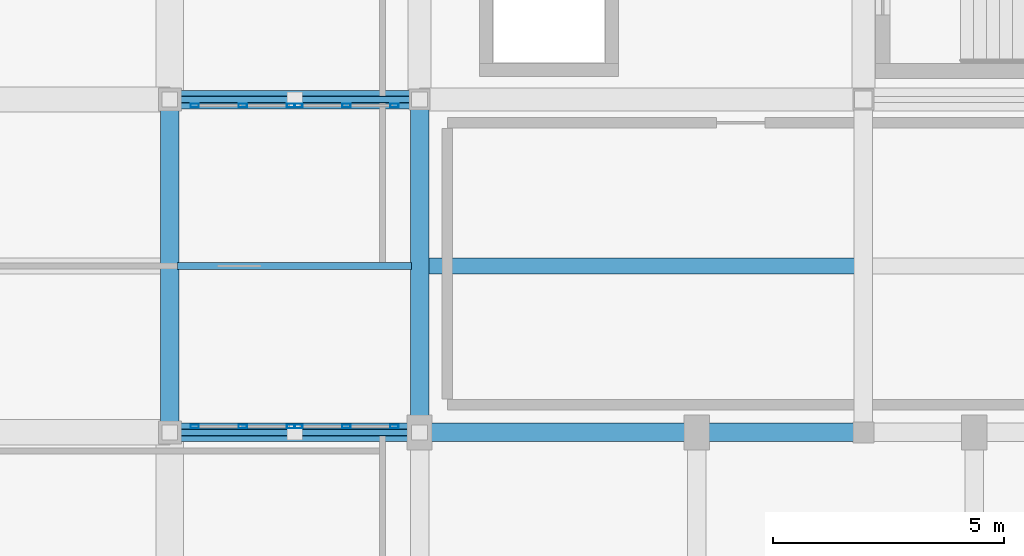
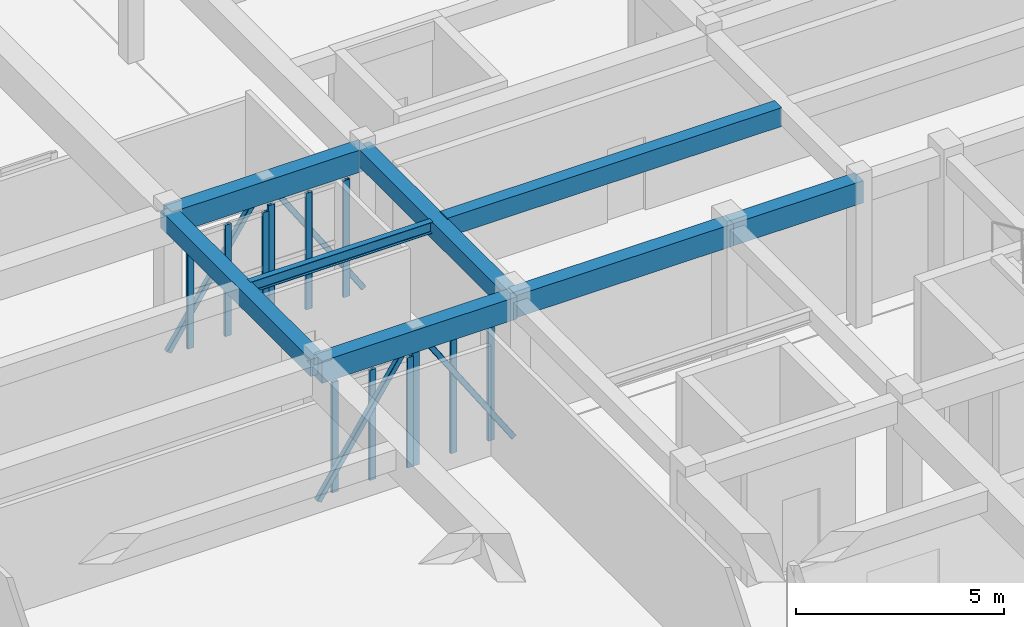
# One storey, part 36 of 92: 16 members, 8 beams, 4 elements without a shape of their own.
"""IFC4 building model written with IfcOpenShell, lengths in metres."""

from ifc_helpers import new_model, si_unit, direction, frame, origin, origin_2d, place, context, subcontext, project, spatial, rectangle, hollow_rectangle, i_section, extrude, material, layer, layer_set, material_profile, profile_set, type_object, element, aggregate, save


model = new_model("IFC4")

# Units and contexts
model_context = context("Model", 3, precision=1e-05, world=origin(), true_north=direction((0.0, 1.0)))
body_context = subcontext(model_context, "Body", "Model", "MODEL_VIEW")
ifc_project = project(units=[si_unit("LENGTHUNIT", "METRE"), si_unit("AREAUNIT", "SQUARE_METRE"), si_unit("VOLUMEUNIT", "CUBIC_METRE"), si_unit("PLANEANGLEUNIT", "RADIAN"), si_unit("MASSUNIT", "GRAM", prefix="KILO")], contexts=[model_context])

# Site, building, storey
site_placement = place(None, origin())
site = spatial("IfcSite", under=ifc_project, at=site_placement, CompositionType="ELEMENT")
building_placement = place(site_placement, origin())
building = spatial("IfcBuilding", under=site, at=building_placement, Name="Tarnavel Promenade Courthouse", CompositionType="ELEMENT")
storey_placement = place(building_placement, frame((0.0, 0.0, 5.39990234375)))
storey = spatial("IfcBuildingStorey", under=building, at=storey_placement, Name="L02", CompositionType="ELEMENT", Elevation=5.39990234375)

# Beams
ifc_material_1 = material(Name="Concrete C40/50", Category="concrete")
ifc_material_profile_1 = material_profile(ifc_material_1, rectangle(XDim=0.35009765625, YDim=0.550048828125, at=origin_2d()), Name="PT 350x550")
ifc_profile_set_1 = profile_set([ifc_material_profile_1], Name="Concrete C40/50")
beam_type_1 = type_object("IfcBeamType", Name="Concrete C40/50 BM-PT-350x550 (PT 350x550)", PredefinedType="JOIST", material=ifc_profile_set_1)
beam_1_placement = place(storey_placement, frame((120.169921875, 70.800048828125, 3.960205078125), z_axis=(1.0, 0.0, 0.0), x_axis=(0.0, 1.0, 0.0)))
element("IfcBeam", 1, at=beam_1_placement, inside=storey, type_object=beam_type_1, Name="L02 Secondary Floor Rib 1403", PredefinedType="JOIST", context=body_context, shape_type="SweptSolid", body=[
    extrude(rectangle(XDim=0.35009765625, YDim=0.550048828125, at=origin_2d()), origin(), (0.0, 0.0, 1.0), 9.260009765625),
])
ifc_material_profile_2 = material_profile(ifc_material_1, rectangle(XDim=0.39990234375, YDim=0.5, at=origin_2d()), Name="RC 400x500")
ifc_profile_set_2 = profile_set([ifc_material_profile_2], Name="Concrete C40/50")
beam_type_2 = type_object("IfcBeamType", Name="Concrete C40/50 BM-RC-400x500 (RC 400x500)", PredefinedType="BEAM", material=ifc_profile_set_2)
for number, where, z_axis, x_axis, name in (
    (2, (114.60009765625, 67.199951171875, 3.945068359375), (0.0, 1.0, 0.0), (-1.0, 0.0, 0.0), "L02 Transverse Girder 1313"),
    (3, (120.0, 67.199951171875, 3.945068359375), (0.0, 1.0, 0.0), (-1.0, 0.0, 0.0), "L02 Transverse Girder 1318"),
):
    element("IfcBeam", number, at=place(storey_placement, frame(where, z_axis=z_axis, x_axis=x_axis)), inside=storey, type_object=beam_type_2, Name=name, PredefinedType="BEAM", context=body_context, shape_type="SweptSolid", body=[
        extrude(rectangle(XDim=0.39990234375, YDim=0.5, at=origin_2d()), origin(), (0.0, 0.0, 1.0), 7.199951171875),
    ])
ifc_material_profile_3 = material_profile(ifc_material_1, rectangle(XDim=0.39990234375, YDim=0.64990234375, at=origin_2d()), Name="RC 400x650")
ifc_profile_set_3 = profile_set([ifc_material_profile_3], Name="Concrete C40/50")
beam_type_3 = type_object("IfcBeamType", Name="Concrete C40/50 BM-RC-400x650 (RC 400x650)", PredefinedType="BEAM", material=ifc_profile_set_3)
beam_2_placement = place(storey_placement, frame((114.60009765625, 67.199951171875, 3.8701171875), z_axis=(1.0, 0.0, 0.0), x_axis=(0.0, 1.0, 0.0)))
element("IfcBeam", 4, at=beam_2_placement, inside=storey, type_object=beam_type_3, Name="L02 Primary Longitudinal Beam 1139", PredefinedType="BEAM", context=body_context, shape_type="SweptSolid", body=[
    extrude(rectangle(XDim=0.39990234375, YDim=0.64990234375, at=origin_2d()), origin(), (0.0, 0.0, 1.0), 5.39990234375),
])
beam_3_placement = place(storey_placement, frame((120.0, 67.199951171875, 3.91015625), z_axis=(1.0, 0.0, 0.0), x_axis=(0.0, 1.0, 0.0)))
element("IfcBeam", 5, at=beam_3_placement, inside=storey, type_object=beam_type_3, Name="L02 Primary Longitudinal Beam 1140", PredefinedType="BEAM", context=body_context, shape_type="SweptSolid", body=[
    extrude(rectangle(XDim=0.39990234375, YDim=0.64990234375, at=origin_2d()), origin(), (0.0, 0.0, 1.0), 6.0),
])
beam_4_placement = place(storey_placement, frame((126.0, 67.199951171875, 3.91015625), z_axis=(1.0, 0.0, 0.0), x_axis=(0.0, 1.0, 0.0)))
element("IfcBeam", 6, at=beam_4_placement, inside=storey, type_object=beam_type_3, Name="L02 Primary Longitudinal Beam 1141", PredefinedType="BEAM", context=body_context, shape_type="SweptSolid", body=[
    extrude(rectangle(XDim=0.39990234375, YDim=0.64990234375, at=origin_2d()), origin(), (0.0, 0.0, 1.0), 3.60009765625),
])
beam_5_placement = place(storey_placement, frame((114.60009765625, 74.39990234375, 3.8701171875), z_axis=(1.0, 0.0, 0.0), x_axis=(0.0, 1.0, 0.0)))
element("IfcBeam", 7, at=beam_5_placement, inside=storey, type_object=beam_type_3, Name="L02 Primary Longitudinal Beam 1162", PredefinedType="BEAM", context=body_context, shape_type="SweptSolid", body=[
    extrude(rectangle(XDim=0.39990234375, YDim=0.64990234375, at=origin_2d()), origin(), (0.0, 0.0, 1.0), 5.39990234375),
])
ifc_material_2 = material(Name="Steel S355J2", Category="steel")
ifc_material_profile_4 = material_profile(ifc_material_2, i_section(OverallWidth=0.159912109375, OverallDepth=0.330078125, WebThickness=0.007568359375, FlangeThickness=0.011474609375, FilletRadius=0.01806640625, at=origin_2d()), Name="IPE 330")
ifc_profile_set_4 = profile_set([ifc_material_profile_4], Name="Steel S355J2")
beam_type_4 = type_object("IfcBeamType", Name="Steel S355J2 BM-ST-IPE330 (IPE 330)", PredefinedType="JOIST", material=ifc_profile_set_4)
beam_6_placement = place(storey_placement, frame((114.77001953125, 70.800048828125, 4.030029296875), z_axis=(1.0, 0.0, 0.0), x_axis=(0.0, 1.0, 0.0)))
element("IfcBeam", 8, at=beam_6_placement, inside=storey, type_object=beam_type_4, Name="L02 Secondary Floor Rib 1402", PredefinedType="JOIST", context=body_context, shape_type="SweptSolid", body=[
    extrude(i_section(OverallWidth=0.159912109375, OverallDepth=0.330078125, WebThickness=0.007568359375, FlangeThickness=0.011474609375, FilletRadius=0.01806640625, at=origin_2d()), origin(), (0.0, 0.0, 1.0), 5.06005859375),
])

# Members
ifc_material_profile_5 = material_profile(ifc_material_2, hollow_rectangle(XDim=0.14990234375, YDim=0.14990234375, WallThickness=0.010009765625, InnerFilletRadius=0.010009765625, OuterFilletRadius=0.02001953125, at=origin_2d()), Name="SHS 150x150x10")
ifc_profile_set_5 = profile_set([ifc_material_profile_5], Name="Steel S355J2")
member_type_1 = type_object("IfcMemberType", Name="Steel S355J2 MEM-BR-SHS150 (SHS 150x150x10)", PredefinedType="BRACE", material=ifc_profile_set_5)
for number, where, z_axis, x_axis, name in (
    (9, (114.60009765625, 67.199951171875, 0.0), (0.553740765848, 0.0, 0.8326891162), (0.0, 1.0, 0.0), "L02 Link Bridge BRE Truss Diagonal 1"),
    (10, (117.300048828125, 67.199951171875, 4.06005859375), (0.553740765848, 0.0, -0.8326891162), (0.0, 1.0, 0.0), "L02 Link Bridge BRE Truss Diagonal 2"),
    (11, (114.60009765625, 74.39990234375, 0.0), (0.553740765848, 0.0, 0.8326891162), (0.0, 1.0, 0.0), "L02 Link Bridge BRE Truss Diagonal 1"),
    (12, (117.300048828125, 74.39990234375, 4.06005859375), (0.553740765848, 0.0, -0.8326891162), (0.0, 1.0, 0.0), "L02 Link Bridge BRE Truss Diagonal 2"),
):
    element("IfcMember", number, at=place(storey_placement, frame(where, z_axis=z_axis, x_axis=x_axis)), inside=storey, type_object=member_type_1, Name=name, PredefinedType="BRACE", context=body_context, shape_type="SweptSolid", body=[
        extrude(hollow_rectangle(XDim=0.14990234375, YDim=0.14990234375, WallThickness=0.010009765625, InnerFilletRadius=0.010009765625, OuterFilletRadius=0.02001953125, at=origin_2d()), origin(), (0.0, 0.0, 1.0), 4.875732421875),
    ])

# Curtain wall, members
ifc_material_3 = material(Name="Thermally Broken Anodised Aluminium Curtain Wall System", Category="aluminium")
ifc_layer = layer(ifc_material_3, 0.18505859375)
ifc_layer_set = layer_set([ifc_layer], Name="Thermally Broken Anodised Aluminium Curtain Wall System")
curtain_wall_type = type_object("IfcCurtainWallType", Name="Thermally Broken Aluminium Triple-Glazed Curtain Wall CW-BRG", PredefinedType="NOTDEFINED", material=ifc_layer_set)
curtain_wall_1_placement = place(storey_placement, origin())
curtain_wall_1 = element("IfcCurtainWall", 13, at=curtain_wall_1_placement, inside=storey, type_object=curtain_wall_type, Name="L02 East Bridge Curtain Wall A 154", PredefinedType="NOTDEFINED")
ifc_material_4 = material(Name="Thermally Broken Anodised Aluminium Frame", Category="aluminium")
ifc_material_profile_6 = material_profile(ifc_material_4, hollow_rectangle(XDim=0.080078125, YDim=0.179931640625, WallThickness=0.0048828125, InnerFilletRadius=0.0048828125, OuterFilletRadius=0.010009765625, at=origin_2d()), Name="CWM 180x80x5")
ifc_profile_set_6 = profile_set([ifc_material_profile_6], Name="Thermally Broken Anodised Aluminium Frame")
member_type_2 = type_object("IfcMemberType", Name="Thermally Broken Anodised Aluminium CWM-155 (CWM 180x80x5)", PredefinedType="MULLION", material=ifc_profile_set_6)
member_1_placement = place(storey_placement, frame((115.139892578125, 67.330078125, 0.0), z_axis=(0.0, 0.0, 1.0), x_axis=(0.0, 1.0, 0.0)))
member_1 = element("IfcMember", 14, at=member_1_placement, type_object=member_type_2, Name="CW-05 mullion 1", PredefinedType="MULLION", context=body_context, shape_type="SweptSolid", body=[
    extrude(hollow_rectangle(XDim=0.080078125, YDim=0.179931640625, WallThickness=0.0048828125, InnerFilletRadius=0.0048828125, OuterFilletRadius=0.010009765625, at=origin_2d()), origin(), (0.0, 0.0, 1.0), 3.22998046875),
])
member_2_placement = place(storey_placement, frame((116.179931640625, 67.330078125, 0.0), z_axis=(0.0, 0.0, 1.0), x_axis=(0.0, 1.0, 0.0)))
member_2 = element("IfcMember", 15, at=member_2_placement, type_object=member_type_2, Name="CW-05 mullion 2", PredefinedType="MULLION", context=body_context, shape_type="SweptSolid", body=[
    extrude(hollow_rectangle(XDim=0.080078125, YDim=0.179931640625, WallThickness=0.0048828125, InnerFilletRadius=0.0048828125, OuterFilletRadius=0.010009765625, at=origin_2d()), origin(), (0.0, 0.0, 1.0), 3.22998046875),
])
member_3_placement = place(storey_placement, frame((117.219970703125, 67.330078125, 0.0), z_axis=(0.0, 0.0, 1.0), x_axis=(0.0, 1.0, 0.0)))
member_3 = element("IfcMember", 16, at=member_3_placement, type_object=member_type_2, Name="CW-05 mullion 3", PredefinedType="MULLION", context=body_context, shape_type="SweptSolid", body=[
    extrude(hollow_rectangle(XDim=0.080078125, YDim=0.179931640625, WallThickness=0.0048828125, InnerFilletRadius=0.0048828125, OuterFilletRadius=0.010009765625, at=origin_2d()), origin(), (0.0, 0.0, 1.0), 3.22998046875),
])
aggregate(curtain_wall_1, [member_1, member_2, member_3])

curtain_wall_2_placement = place(storey_placement, origin())
curtain_wall_2 = element("IfcCurtainWall", 17, at=curtain_wall_2_placement, inside=storey, type_object=curtain_wall_type, Name="L02 East Bridge Curtain Wall B 155", PredefinedType="NOTDEFINED")
member_4_placement = place(storey_placement, frame((117.3798828125, 67.330078125, 0.0), z_axis=(0.0, 0.0, 1.0), x_axis=(0.0, 1.0, 0.0)))
member_4 = element("IfcMember", 18, at=member_4_placement, type_object=member_type_2, Name="CW-05 mullion 1", PredefinedType="MULLION", context=body_context, shape_type="SweptSolid", body=[
    extrude(hollow_rectangle(XDim=0.080078125, YDim=0.179931640625, WallThickness=0.0048828125, InnerFilletRadius=0.0048828125, OuterFilletRadius=0.010009765625, at=origin_2d()), origin(), (0.0, 0.0, 1.0), 3.530029296875),
])
member_5_placement = place(storey_placement, frame((118.419921875, 67.330078125, 0.0), z_axis=(0.0, 0.0, 1.0), x_axis=(0.0, 1.0, 0.0)))
member_5 = element("IfcMember", 19, at=member_5_placement, type_object=member_type_2, Name="CW-05 mullion 2", PredefinedType="MULLION", context=body_context, shape_type="SweptSolid", body=[
    extrude(hollow_rectangle(XDim=0.080078125, YDim=0.179931640625, WallThickness=0.0048828125, InnerFilletRadius=0.0048828125, OuterFilletRadius=0.010009765625, at=origin_2d()), origin(), (0.0, 0.0, 1.0), 3.530029296875),
])
member_6_placement = place(storey_placement, frame((119.4599609375, 67.330078125, 0.0), z_axis=(0.0, 0.0, 1.0), x_axis=(0.0, 1.0, 0.0)))
member_6 = element("IfcMember", 20, at=member_6_placement, type_object=member_type_2, Name="CW-05 mullion 3", PredefinedType="MULLION", context=body_context, shape_type="SweptSolid", body=[
    extrude(hollow_rectangle(XDim=0.080078125, YDim=0.179931640625, WallThickness=0.0048828125, InnerFilletRadius=0.0048828125, OuterFilletRadius=0.010009765625, at=origin_2d()), origin(), (0.0, 0.0, 1.0), 3.530029296875),
])
aggregate(curtain_wall_2, [member_4, member_5, member_6])

curtain_wall_3_placement = place(storey_placement, origin())
curtain_wall_3 = element("IfcCurtainWall", 21, at=curtain_wall_3_placement, inside=storey, type_object=curtain_wall_type, Name="L02 East Bridge Curtain Wall A 156", PredefinedType="NOTDEFINED")
member_7_placement = place(storey_placement, frame((115.139892578125, 74.27001953125, 0.0), z_axis=(0.0, 0.0, 1.0), x_axis=(0.0, 1.0, 0.0)))
member_7 = element("IfcMember", 22, at=member_7_placement, type_object=member_type_2, Name="CW-05 mullion 1", PredefinedType="MULLION", context=body_context, shape_type="SweptSolid", body=[
    extrude(hollow_rectangle(XDim=0.080078125, YDim=0.179931640625, WallThickness=0.0048828125, InnerFilletRadius=0.0048828125, OuterFilletRadius=0.010009765625, at=origin_2d()), origin(), (0.0, 0.0, 1.0), 3.27001953125),
])
member_8_placement = place(storey_placement, frame((116.179931640625, 74.27001953125, 0.0), z_axis=(0.0, 0.0, 1.0), x_axis=(0.0, 1.0, 0.0)))
member_8 = element("IfcMember", 23, at=member_8_placement, type_object=member_type_2, Name="CW-05 mullion 2", PredefinedType="MULLION", context=body_context, shape_type="SweptSolid", body=[
    extrude(hollow_rectangle(XDim=0.080078125, YDim=0.179931640625, WallThickness=0.0048828125, InnerFilletRadius=0.0048828125, OuterFilletRadius=0.010009765625, at=origin_2d()), origin(), (0.0, 0.0, 1.0), 3.27001953125),
])
member_9_placement = place(storey_placement, frame((117.219970703125, 74.27001953125, 0.0), z_axis=(0.0, 0.0, 1.0), x_axis=(0.0, 1.0, 0.0)))
member_9 = element("IfcMember", 24, at=member_9_placement, type_object=member_type_2, Name="CW-05 mullion 3", PredefinedType="MULLION", context=body_context, shape_type="SweptSolid", body=[
    extrude(hollow_rectangle(XDim=0.080078125, YDim=0.179931640625, WallThickness=0.0048828125, InnerFilletRadius=0.0048828125, OuterFilletRadius=0.010009765625, at=origin_2d()), origin(), (0.0, 0.0, 1.0), 3.27001953125),
])
aggregate(curtain_wall_3, [member_7, member_8, member_9])

curtain_wall_4_placement = place(storey_placement, origin())
curtain_wall_4 = element("IfcCurtainWall", 25, at=curtain_wall_4_placement, inside=storey, type_object=curtain_wall_type, Name="L02 East Bridge Curtain Wall B 157", PredefinedType="NOTDEFINED")
member_10_placement = place(storey_placement, frame((117.3798828125, 74.27001953125, 0.0), z_axis=(0.0, 0.0, 1.0), x_axis=(0.0, 1.0, 0.0)))
member_10 = element("IfcMember", 26, at=member_10_placement, type_object=member_type_2, Name="CW-05 mullion 1", PredefinedType="MULLION", context=body_context, shape_type="SweptSolid", body=[
    extrude(hollow_rectangle(XDim=0.080078125, YDim=0.179931640625, WallThickness=0.0048828125, InnerFilletRadius=0.0048828125, OuterFilletRadius=0.010009765625, at=origin_2d()), origin(), (0.0, 0.0, 1.0), 3.420166015625),
])
member_11_placement = place(storey_placement, frame((118.419921875, 74.27001953125, 0.0), z_axis=(0.0, 0.0, 1.0), x_axis=(0.0, 1.0, 0.0)))
member_11 = element("IfcMember", 27, at=member_11_placement, type_object=member_type_2, Name="CW-05 mullion 2", PredefinedType="MULLION", context=body_context, shape_type="SweptSolid", body=[
    extrude(hollow_rectangle(XDim=0.080078125, YDim=0.179931640625, WallThickness=0.0048828125, InnerFilletRadius=0.0048828125, OuterFilletRadius=0.010009765625, at=origin_2d()), origin(), (0.0, 0.0, 1.0), 3.420166015625),
])
member_12_placement = place(storey_placement, frame((119.4599609375, 74.27001953125, 0.0), z_axis=(0.0, 0.0, 1.0), x_axis=(0.0, 1.0, 0.0)))
member_12 = element("IfcMember", 28, at=member_12_placement, type_object=member_type_2, Name="CW-05 mullion 3", PredefinedType="MULLION", context=body_context, shape_type="SweptSolid", body=[
    extrude(hollow_rectangle(XDim=0.080078125, YDim=0.179931640625, WallThickness=0.0048828125, InnerFilletRadius=0.0048828125, OuterFilletRadius=0.010009765625, at=origin_2d()), origin(), (0.0, 0.0, 1.0), 3.420166015625),
])
aggregate(curtain_wall_4, [member_10, member_11, member_12])

save(model, "model.ifc")
